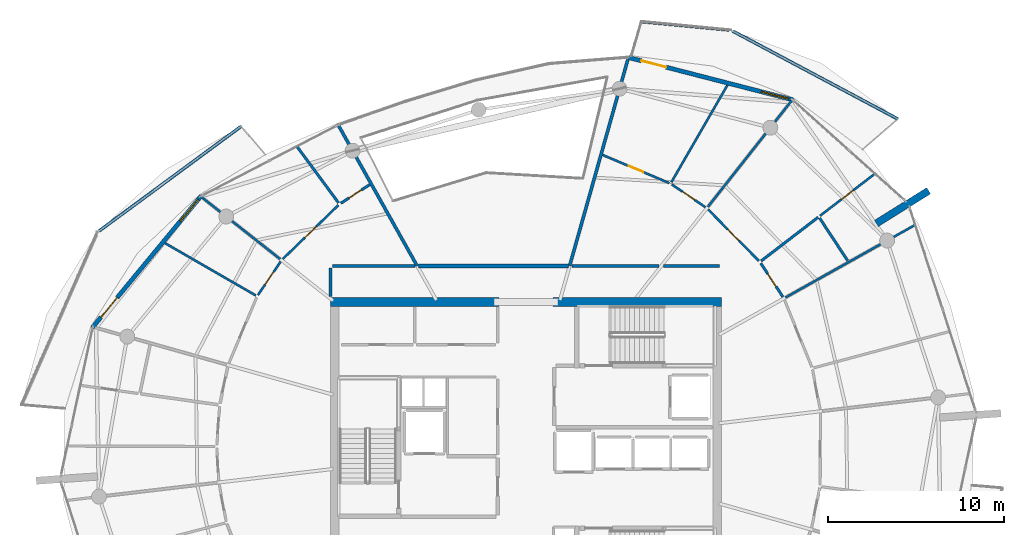
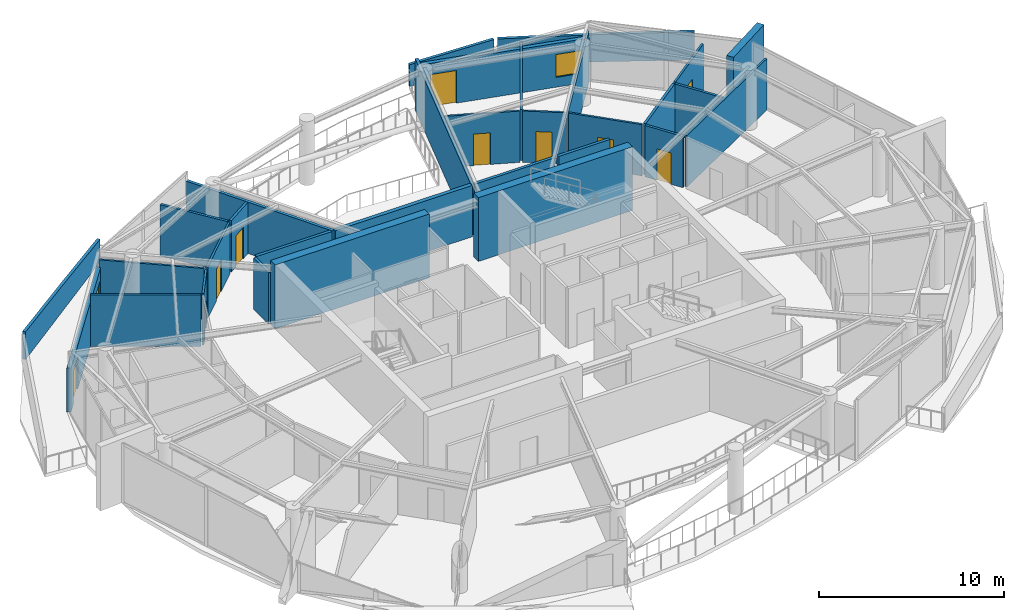
# One storey, part 16 of 22: 31 walls, 10 doors, 2 windows, 12 openings.
"""IFC4 building model written with IfcOpenShell, lengths in metres."""

import ifcopenshell
import ifcopenshell.guid

model = None  # the IFC model being written
_history = None  # IfcOwnerHistory: only IFC2X3 demands one
_inside = {}  # id of a spatial element -> (the spatial element, [elements in it])
_under = {}  # id of a project, library or spatial element -> (it, [spatial elements below it])
_declared = {}  # id of a project -> (the project, [libraries it declares])
_typed = {}  # id of a type object -> (the type object, [elements of that type])
_made_of = {}  # id of a material, layer set ... -> (it, [elements and type objects made of it])


def new_model(schema):
    """Start an empty IFC model of exactly this schema.

    Asked for "IFC4X3", IfcOpenShell would pick the latest addendum, in which some entities
    have other attributes; the version numbers below select the first issue.
    IFC2X3 requires an IfcOwnerHistory on every rooted entity: one is made here for all.
    """
    global model, _history
    if schema == "IFC4X3":
        model = ifcopenshell.file(schema_version=(4, 3, 0, 0))
    else:
        model = ifcopenshell.file(schema=schema)
    _inside.clear()
    _under.clear()
    _declared.clear()
    _typed.clear()
    _made_of.clear()
    _history = None
    if model.schema == "IFC2X3":
        org = make("IfcOrganization", Name="unknown")
        user = make(
            "IfcPersonAndOrganization",
            ThePerson=make("IfcPerson", FamilyName="unknown"),
            TheOrganization=org,
        )
        app = make(
            "IfcApplication",
            ApplicationDeveloper=org,
            Version="unknown",
            ApplicationFullName="unknown",
            ApplicationIdentifier="unknown",
        )
        _history = make(
            "IfcOwnerHistory",
            OwningUser=user,
            OwningApplication=app,
            ChangeAction="ADDED",
            CreationDate=0,
        )
    return model


def make(cls, **values):
    """One entity of the class cls with the attributes given. An attribute that is None is left unset."""
    return model.create_entity(
        cls, **{name: value for name, value in values.items() if value is not None}
    )


def rooted(cls, **values):
    """An entity with a GlobalId (a new one), such as an element, a storey or a relation."""
    return make(cls, GlobalId=ifcopenshell.guid.new(), OwnerHistory=_history, **values)


def si_unit(unit_type, name, prefix=None):
    """IfcSIUnit, for example si_unit("LENGTHUNIT", "METRE", prefix="MILLI")."""
    return make("IfcSIUnit", UnitType=unit_type, Prefix=prefix, Name=name)


def assignment(units):
    """IfcUnitAssignment: the units of a project."""
    return None if units is None else make("IfcUnitAssignment", Units=units)


def point(xyz):
    """IfcCartesianPoint."""
    return None if xyz is None else make("IfcCartesianPoint", Coordinates=xyz)


def direction(xyz):
    """IfcDirection."""
    return None if xyz is None else make("IfcDirection", DirectionRatios=xyz)


def frame(location, z_axis=None, x_axis=None):
    """IfcAxis2Placement3D, a coordinate frame: its origin and axes. An axis left out is left unset."""
    return make(
        "IfcAxis2Placement3D",
        Location=point(location),
        Axis=direction(z_axis),
        RefDirection=direction(x_axis),
    )


def frame_2d(location, x_axis=None):
    """IfcAxis2Placement2D, a coordinate frame in the plane: its origin and x axis."""
    return make(
        "IfcAxis2Placement2D", Location=point(location), RefDirection=direction(x_axis)
    )


def origin():
    """The frame at (0, 0, 0) with its axes left unset."""
    return frame((0.0, 0.0, 0.0))


def place(relative_to, where):
    """IfcLocalPlacement: puts the frame where relative to a parent placement (None: the world)."""
    return make(
        "IfcLocalPlacement", PlacementRelTo=relative_to, RelativePlacement=where
    )


def context(
    kind, dimensions, precision=None, world=None, true_north=None, identifier=None
):
    """IfcGeometricRepresentationContext, for example the 3D "Model" context."""
    return make(
        "IfcGeometricRepresentationContext",
        ContextIdentifier=identifier,
        ContextType=kind,
        CoordinateSpaceDimension=dimensions,
        Precision=precision,
        WorldCoordinateSystem=world,
        TrueNorth=true_north,
    )


def subcontext(parent, identifier, kind, view, scale=None):
    """IfcGeometricRepresentationSubContext, for example "Body" below "Model"."""
    return make(
        "IfcGeometricRepresentationSubContext",
        ContextIdentifier=identifier,
        ContextType=kind,
        ParentContext=parent,
        TargetScale=scale,
        TargetView=view,
    )


def project(units=None, contexts=None):
    """IfcProject with its units and contexts."""
    return rooted(
        "IfcProject",
        Name="project",
        RepresentationContexts=contexts,
        UnitsInContext=assignment(units),
    )


def spatial(cls, under=None, at=None, **own):
    """A site, building, storey or space (cls), placed at a placement, below another one or the project."""
    s = rooted(cls, ObjectPlacement=at, **own)
    if under is not None:
        _under.setdefault(under.id(), (under, []))[1].append(s)
    return s


def polyline(points):
    """IfcPolyline through the points."""
    return make("IfcPolyline", Points=[point(p) for p in points])


def profile(cls, at=None, kind="AREA", **sizes):
    """A parametric profile (cls). Its sizes go by their IFC names, for example OverallWidth=200.0."""
    return make(cls, ProfileType=kind, Position=at, **sizes)


def rectangle(**sizes):
    """IfcRectangleProfileDef."""
    return profile("IfcRectangleProfileDef", **sizes)


def outline(outer, holes=None, kind="AREA"):
    """IfcArbitraryClosedProfileDef: a profile drawn as a closed curve; with holes, ...WithVoids."""
    if holes is None:
        return make("IfcArbitraryClosedProfileDef", ProfileType=kind, OuterCurve=outer)
    return make(
        "IfcArbitraryProfileDefWithVoids",
        ProfileType=kind,
        OuterCurve=outer,
        InnerCurves=holes,
    )


def extrude(swept, where, along, depth):
    """IfcExtrudedAreaSolid: the profile swept, set in the frame where, extruded along a direction by depth."""
    return make(
        "IfcExtrudedAreaSolid",
        SweptArea=swept,
        Position=where,
        ExtrudedDirection=direction(along),
        Depth=depth,
    )


def shape(context_of_items, identifier, shape_type, items):
    """IfcShapeRepresentation: the items that make up one representation, for example the "Body"."""
    return make(
        "IfcShapeRepresentation",
        ContextOfItems=context_of_items,
        RepresentationIdentifier=identifier,
        RepresentationType=shape_type,
        Items=items,
    )


def material(Name=None, Category=None):
    """IfcMaterial."""
    return make("IfcMaterial", Name=Name, Category=Category)


def layer(
    of_material, thickness, ventilated=None, Name=None, Category=None, Priority=None
):
    """IfcMaterialLayer: one layer of a wall or slab, of a material (None: an air gap)."""
    return make(
        "IfcMaterialLayer",
        Material=of_material,
        LayerThickness=thickness,
        IsVentilated=ventilated,
        Name=Name,
        Category=Category,
        Priority=Priority,
    )


def layer_set(layers, Name=None):
    """IfcMaterialLayerSet."""
    return make("IfcMaterialLayerSet", MaterialLayers=layers, LayerSetName=Name)


def made_of(thing, what):
    """Note that an element or type object is made of a material, layer set ...; save() writes the relation."""
    if what is not None:
        _made_of.setdefault(what.id(), (what, []))[1].append(thing)
    return thing


def type_object(cls, material=None, **own):
    """A type object (cls), such as IfcWallType, which elements share."""
    return made_of(rooted(cls, **own), material)


def element(
    cls,
    number,
    at=None,
    inside=None,
    cuts=None,
    type_object=None,
    material=None,
    context=None,
    identifier="Body",
    shape_type=None,
    held_by="IfcProductDefinitionShape",
    body=None,
    shapes=None,
    **own,
):
    """One element of the class cls, such as IfcWall. Its Tag is "e" and its number.

    at: its placement. inside: the storey or other place that contains it. cuts: it is an
    opening in that element (IfcRelVoidsElement). A single representation is given by context,
    identifier, shape_type and body (its items); several are given by shapes. held_by: the class
    of the entity that holds the representations. save() writes the other relations.
    """
    e = rooted(cls, Tag="e%d" % number, ObjectPlacement=at, **own)
    if body is not None:
        shapes = [shape(context, identifier, shape_type, body)]
    if shapes is not None:
        e.Representation = make(held_by, Representations=shapes)
    if inside is not None:
        _inside.setdefault(inside.id(), (inside, []))[1].append(e)
    if cuts is not None:
        rooted(
            "IfcRelVoidsElement", RelatingBuildingElement=cuts, RelatedOpeningElement=e
        )
    if type_object is not None:
        _typed.setdefault(type_object.id(), (type_object, []))[1].append(e)
    return made_of(e, material)


def fill(opening, filler):
    """IfcRelFillsElement: the door or window that sits in an opening."""
    return rooted(
        "IfcRelFillsElement",
        RelatingOpeningElement=opening,
        RelatedBuildingElement=filler,
    )


def aggregate(whole, parts):
    """IfcRelAggregates: a whole, such as a stair, and the parts it consists of."""
    return rooted("IfcRelAggregates", RelatingObject=whole, RelatedObjects=parts)


def save(model, path):
    """Write the relations noted so far, then the file.

    IfcRelAggregates (storeys below a building ...), IfcRelContainedInSpatialStructure (elements
    in a storey), IfcRelDefinesByType, IfcRelAssociatesMaterial and IfcRelDeclares: one each for
    every whole, place, type object, material and project.
    """
    for whole, parts in _under.values():
        aggregate(whole, parts)
    for where, things in _inside.values():
        rooted(
            "IfcRelContainedInSpatialStructure",
            RelatedElements=things,
            RelatingStructure=where,
        )
    for kind, things in _typed.values():
        rooted("IfcRelDefinesByType", RelatedObjects=things, RelatingType=kind)
    for what, things in _made_of.values():
        rooted("IfcRelAssociatesMaterial", RelatedObjects=things, RelatingMaterial=what)
    for by, libraries in _declared.values():
        rooted("IfcRelDeclares", RelatingContext=by, RelatedDefinitions=libraries)
    model.write(path)


model = new_model("IFC4")

# Units and contexts
model_context = context("Model", 3, precision=1e-05, world=origin(), true_north=direction((0.0, 1.0)))
body_context = subcontext(model_context, "Body", "Model", "MODEL_VIEW")
ifc_project = project(units=[si_unit("LENGTHUNIT", "METRE"), si_unit("AREAUNIT", "SQUARE_METRE"), si_unit("VOLUMEUNIT", "CUBIC_METRE"), si_unit("PLANEANGLEUNIT", "RADIAN"), si_unit("MASSUNIT", "GRAM", prefix="KILO")], contexts=[model_context])

# Site, building, storey
site_placement = place(None, origin())
site = spatial("IfcSite", under=ifc_project, at=site_placement, CompositionType="ELEMENT")
building_placement = place(site_placement, origin())
building = spatial("IfcBuilding", under=site, at=building_placement, Name="Kazma Halo Residences", CompositionType="ELEMENT")
storey_placement = place(building_placement, frame((0.0, 0.0, 326.300048828125)))
storey = spatial("IfcBuildingStorey", under=building, at=storey_placement, Name="L82", CompositionType="ELEMENT", Elevation=326.300048828125)

# Walls
ifc_material_1 = material(Name="White Concrete C50/60 Balustrade", Category="concrete")
ifc_layer_1 = layer(ifc_material_1, 0.179931640625)
ifc_layer_set_1 = layer_set([ifc_layer_1], Name="White Concrete C50/60 Balustrade")
wall_type_1 = type_object("IfcWallType", Name="WL-BAL-WAVE-180", PredefinedType="PARAPET", material=ifc_layer_set_1)
wall_1_placement = place(storey_placement, frame((69.5732421875, 60.654541015625, 0.0), z_axis=(0.0, 0.0, 1.0), x_axis=(-0.88255748453, 0.470204515611, 0.0)))
element("IfcWall", 1, at=wall_1_placement, inside=storey, type_object=wall_type_1, Name="L82 white wave balustrade wall NE.1", PredefinedType="PARAPET", context=body_context, shape_type="SweptSolid", body=[
    extrude(outline(polyline([(0.0, 0.0), (10.634765625, 0.0), (10.634765625, 1.6318359375), (5.3173828125, 1.7978515625), (0.0, 1.85986328125), (0.0, 0.0)])), frame((0.0, 0.08984375, 0.0), z_axis=(0.0, -1.0, 0.0), x_axis=(1.0, 0.0, 0.0)), (0.0, 0.0, 1.0), 0.179931640625),
])
wall_2_placement = place(storey_placement, frame((59.962158203125, 65.722900390625, 0.0), z_axis=(0.0, 0.0, 1.0), x_axis=(-0.995513885171, 0.094615561251, 0.0)))
element("IfcWall", 2, at=wall_2_placement, inside=storey, type_object=wall_type_1, Name="L82 white wave balustrade wall NE.2", PredefinedType="PARAPET", context=body_context, shape_type="SweptSolid", body=[
    extrude(outline(polyline([(0.0, 0.0), (5.000732421875, 0.0), (5.000732421875, 1.424072265625), (0.0, 1.6318359375), (0.0, 0.0)])), frame((0.0, 0.08984375, 0.0), z_axis=(0.0, -1.0, 0.0), x_axis=(1.0, 0.0, 0.0)), (0.0, 0.0, 1.0), 0.179931640625),
])
wall_3_placement = place(storey_placement, frame((32.2265625, 60.241455078125, 0.0), z_axis=(0.0, 0.0, 1.0), x_axis=(-0.805132760075, -0.593094628752, 0.0)))
element("IfcWall", 3, at=wall_3_placement, inside=storey, type_object=wall_type_1, Name="L82 white wave balustrade wall NW.1", PredefinedType="PARAPET", context=body_context, shape_type="SweptSolid", body=[
    extrude(outline(polyline([(0.0, 0.0), (10.050537109375, 0.0), (10.05078125, 1.83203125), (5.025390625, 1.696044921875), (0.0, 1.4970703125), (0.0, 0.0)])), frame((0.0, 0.08984375, 0.0), z_axis=(0.0, -1.0, 0.0), x_axis=(1.0, 0.0, 0.0)), (0.0, 0.0, 1.0), 0.179931640625),
])
ifc_material_2 = material(Name="Pale Concrete C60/75", Category="concrete")
ifc_layer_2 = layer(ifc_material_2, 0.419921875)
ifc_layer_set_2 = layer_set([ifc_layer_2], Name="Pale Concrete C60/75")
wall_type_2 = type_object("IfcWallType", Name="WL-BLADE-420", PredefinedType="SOLIDWALL", material=ifc_layer_set_2)
wall_4_placement = place(storey_placement, frame((68.3525390625, 54.7177734375, 0.0), z_axis=(0.0, 0.0, 1.0), x_axis=(0.848053161125, 0.529911158502, 0.0)))
element("IfcWall", 4, at=wall_4_placement, inside=storey, type_object=wall_type_2, Name="L82 pale concrete structural blade fin wall BW-01", PredefinedType="SOLIDWALL", context=body_context, shape_type="SweptSolid", body=[
    extrude(rectangle(XDim=3.5, YDim=0.419921875, at=frame_2d((1.75, 0.0))), origin(), (0.0, 0.0, 1.0), 4.199951171875),
])
ifc_material_3 = material(Name="Concrete C60/75", Category="concrete")
ifc_layer_3 = layer(ifc_material_3, 0.5)
ifc_layer_set_3 = layer_set([ifc_layer_3], Name="Concrete C60/75")
wall_type_3 = type_object("IfcWallType", Name="WL-CORE-500", PredefinedType="SHEAR", material=ifc_layer_set_3)
wall_5_placement = place(storey_placement, frame((37.300048828125, 50.25, 0.0), z_axis=(0.0, 0.0, 1.0), x_axis=(1.0, 0.0, 0.0)))
element("IfcWall", 5, at=wall_5_placement, inside=storey, type_object=wall_type_3, Name="L82 central core shear wall NW", PredefinedType="SHEAR", context=body_context, shape_type="SweptSolid", body=[
    extrude(rectangle(XDim=9.599853515625, YDim=0.5, at=frame_2d((4.7998046875, 0.0))), origin(), (0.0, 0.0, 1.0), 4.199951171875),
])
wall_6_placement = place(storey_placement, frame((49.949951171875, 50.25, 0.0), z_axis=(0.0, 0.0, 1.0), x_axis=(1.0, 0.0, 0.0)))
element("IfcWall", 6, at=wall_6_placement, inside=storey, type_object=wall_type_3, Name="L82 central core shear wall NE", PredefinedType="SHEAR", context=body_context, shape_type="SweptSolid", body=[
    extrude(rectangle(XDim=9.60009765625, YDim=0.5, at=frame_2d((4.800048828125, 0.0))), origin(), (0.0, 0.0, 1.0), 4.199951171875),
])
ifc_material_4 = material(Name="Acoustic Twin-Stud Gypsum")
ifc_layer_4 = layer(ifc_material_4, 0.179931640625)
ifc_layer_set_4 = layer_set([ifc_layer_4], Name="Acoustic Twin-Stud Gypsum")
wall_type_4 = type_object("IfcWallType", Name="WL-DEM-180", PredefinedType="PARTITIONING", material=ifc_layer_set_4)
wall_7_placement = place(storey_placement, frame((50.90478515625, 52.300048828125, 0.0), z_axis=(0.0, 0.0, 1.0), x_axis=(0.271453030279, 0.962451688321, 0.0)))
element("IfcWall", 7, at=wall_7_placement, inside=storey, type_object=wall_type_4, Name="L82 apartment demising radial wall 02", PredefinedType="PARTITIONING", context=body_context, shape_type="SweptSolid", body=[
    extrude(rectangle(XDim=12.191162109375, YDim=0.179931640625, at=frame_2d((6.095703125, 0.0))), origin(), (0.0, 0.0, 1.0), 3.3798828125),
])
wall_8_placement = place(storey_placement, frame((42.231689453125, 52.300048828125, 0.0), z_axis=(0.0, 0.0, 1.0), x_axis=(-0.488623665245, 0.872494649704, 0.0)))
element("IfcWall", 8, at=wall_8_placement, inside=storey, type_object=wall_type_4, Name="L82 apartment demising radial wall 04", PredefinedType="PARTITIONING", context=body_context, shape_type="SweptSolid", body=[
    extrude(rectangle(XDim=9.156982421875, YDim=0.179931640625, at=frame_2d((4.57861328125, 0.0))), origin(), (0.0, 0.0, 1.0), 3.3798828125),
])
wall_9_placement = place(storey_placement, frame((42.11181640625, 52.300048828125, 0.0), z_axis=(0.0, 0.0, 1.0), x_axis=(-1.0, 0.0, 0.0)))
element("IfcWall", 9, at=wall_9_placement, inside=storey, type_object=wall_type_4, Name="L82 Penthouse 1 inner wall 4", PredefinedType="PARTITIONING", context=body_context, shape_type="SweptSolid", body=[
    extrude(rectangle(XDim=4.69189453125, YDim=0.179931640625, at=frame_2d((2.345947265625, 0.0))), origin(), (0.0, 0.0, 1.0), 3.3798828125),
])
wall_10_placement = place(storey_placement, frame((37.300048828125, 52.179931640625, 0.0), z_axis=(0.0, 0.0, 1.0), x_axis=(0.0, -1.0, 0.0)))
element("IfcWall", 10, at=wall_10_placement, inside=storey, type_object=wall_type_4, Name="L82 Penthouse 1 inner wall 4", PredefinedType="PARTITIONING", context=body_context, shape_type="SweptSolid", body=[
    extrude(rectangle(XDim=1.624755859375, YDim=0.179931640625, at=frame_2d((0.8125, 0.0))), origin(), (0.0, 0.0, 1.0), 3.3798828125),
])
wall_11_placement = place(storey_placement, frame((59.429931640625, 52.300048828125, 0.0), z_axis=(0.0, 0.0, 1.0), x_axis=(-1.0, 0.0, 0.0)))
element("IfcWall", 11, at=wall_11_placement, inside=storey, type_object=wall_type_4, Name="L82 Penthouse 2 inner wall 0", PredefinedType="PARTITIONING", context=body_context, shape_type="SweptSolid", body=[
    extrude(rectangle(XDim=3.18994140625, YDim=0.179931640625, at=frame_2d((1.594970703125, 0.0))), origin(), (0.0, 0.0, 1.0), 3.3798828125),
])
wall_12_placement = place(storey_placement, frame((56.0, 52.300048828125, 0.0), z_axis=(0.0, 0.0, 1.0), x_axis=(-1.0, 0.0, 0.0)))
element("IfcWall", 12, at=wall_12_placement, inside=storey, type_object=wall_type_4, Name="L82 Penthouse 2 inner wall 1", PredefinedType="PARTITIONING", context=body_context, shape_type="SweptSolid", body=[
    extrude(rectangle(XDim=4.97509765625, YDim=0.179931640625, at=frame_2d((2.487548828125, 0.0))), origin(), (0.0, 0.0, 1.0), 3.3798828125),
])

# Wall, openings, door, window
ifc_material_5 = material(Name="Insulated Pale-Metal Composite Wall")
ifc_layer_5 = layer(ifc_material_5, 0.239990234375)
ifc_layer_set_5 = layer_set([ifc_layer_5], Name="Insulated Pale-Metal Composite Wall")
wall_type_5 = type_object("IfcWallType", Name="WL-EXT-HOST-240", PredefinedType="SOLIDWALL", material=ifc_layer_set_5)
wall_13_placement = place(storey_placement, frame((63.619873046875, 61.73974609375, 0.0), z_axis=(0.0, 0.0, 1.0), x_axis=(-0.968389062354, 0.249444630957, 0.0)))
wall_13 = element("IfcWall", 13, at=wall_13_placement, inside=storey, type_object=wall_type_5, Name="L82 exterior terrace-access wall B02", PredefinedType="SOLIDWALL", context=body_context, shape_type="SweptSolid", body=[
    extrude(rectangle(XDim=9.677734375, YDim=0.239990234375, at=frame_2d((4.8388671875, 0.0))), origin(), (0.0, 0.0, 1.0), 2.889892578125),
])
opening_1_placement = place(wall_13_placement, frame((7.457763671875, 0.0, 0.0)))
opening_1 = element("IfcOpeningElement", 14, at=opening_1_placement, cuts=wall_13, Name="Opening DTR-1600", PredefinedType="OPENING", context=body_context, shape_type="SweptSolid", body=[
    extrude(rectangle(XDim=1.449951171875, YDim=2.14990234375, at=frame_2d((0.72509765625, 1.074951171875))), frame((0.0, 0.1298828125, 0.0), z_axis=(0.0, -1.0, 0.0), x_axis=(1.0, 0.0, 0.0)), (0.0, 0.0, 1.0), 0.260009765625),
])
opening_2_placement = place(wall_13_placement, frame((0.280029296875, 0.0, 0.64990234375)))
opening_2 = element("IfcOpeningElement", 15, at=opening_2_placement, cuts=wall_13, Name="Opening W-1800", PredefinedType="OPENING", context=body_context, shape_type="SweptSolid", body=[
    extrude(rectangle(XDim=1.60009765625, YDim=1.5, at=frame_2d((0.800048828125, 0.75))), frame((0.0, 0.1298828125, 0.0), z_axis=(0.0, -1.0, 0.0), x_axis=(1.0, 0.0, 0.0)), (0.0, 0.0, 1.0), 0.260009765625),
])
ifc_material_6 = material(Name="Aluminium AW-6063 T6 Double-Glazed Terrace Door", Category="aluminium")
door_type_1 = type_object("IfcDoorType", Name="DR-EXT-TERR-1600", OperationType="NOTDEFINED", PredefinedType="DOOR", material=ifc_material_6)
door_1_placement = place(opening_1_placement, origin())
door_1 = element("IfcDoor", 16, at=door_1_placement, inside=storey, type_object=door_type_1, Name="L82 B02 balcony terrace door", OperationType="DOUBLE_DOOR_SLIDING", OverallHeight=2.14990234375, OverallWidth=1.449951171875, PredefinedType="DOOR", context=body_context, shape_type="SweptSolid", body=[
    extrude(rectangle(XDim=1.449951171875, YDim=2.14990234375, at=frame_2d((0.72509765625, 1.074951171875))), frame((0.0, 0.02490234375, 0.0), z_axis=(0.0, -1.0, 0.0), x_axis=(1.0, 0.0, 0.0)), (0.0, 0.0, 1.0), 0.050048828125),
])
fill(opening_1, door_1)
ifc_material_7 = material(Name="Clear Triple-Silver Low-E Glass in Aluminium AW-6063 T6 Frame", Category="aluminium")
window_type = type_object("IfcWindowType", Name="WIN-RES-1800", PartitioningType="DOUBLE_PANEL_VERTICAL", PredefinedType="WINDOW", material=ifc_material_7)
window_1_placement = place(opening_2_placement, origin())
window_1 = element("IfcWindow", 17, at=window_1_placement, inside=storey, type_object=window_type, Name="L82 B02 apartment window", OverallHeight=1.5, OverallWidth=1.60009765625, PartitioningType="SINGLE_PANEL", PredefinedType="WINDOW", context=body_context, shape_type="SweptSolid", body=[
    extrude(rectangle(XDim=1.60009765625, YDim=1.5, at=frame_2d((0.800048828125, 0.75))), frame((0.0, 0.030029296875, 0.0), z_axis=(0.0, -1.0, 0.0), x_axis=(1.0, 0.0, 0.0)), (0.0, 0.0, 1.0), 0.06005859375),
])
fill(opening_2, window_1)

wall_14_placement = place(storey_placement, frame((29.955322265625, 56.288818359375, 0.0), z_axis=(0.0, 0.0, 1.0), x_axis=(-0.636803612721, -0.771026042897, 0.0)))
wall_14 = element("IfcWall", 18, at=wall_14_placement, inside=storey, type_object=wall_type_5, Name="L82 exterior terrace-access wall B06", PredefinedType="SOLIDWALL", context=body_context, shape_type="SweptSolid", body=[
    extrude(rectangle(XDim=9.7275390625, YDim=0.239990234375, at=frame_2d((4.86376953125, 0.0))), origin(), (0.0, 0.0, 1.0), 2.889892578125),
])
opening_3_placement = place(wall_14_placement, frame((7.5078125, 0.0, 0.0)))
opening_3 = element("IfcOpeningElement", 19, at=opening_3_placement, cuts=wall_14, Name="Opening DTR-1600", PredefinedType="OPENING", context=body_context, shape_type="SweptSolid", body=[
    extrude(rectangle(XDim=1.449951171875, YDim=2.14990234375, at=frame_2d((0.72509765625, 1.074951171875))), frame((0.0, 0.1298828125, 0.0), z_axis=(0.0, -1.0, 0.0), x_axis=(1.0, 0.0, 0.0)), (0.0, 0.0, 1.0), 0.260009765625),
])
opening_4_placement = place(wall_14_placement, frame((0.280029296875, 0.0, 0.64990234375)))
opening_4 = element("IfcOpeningElement", 20, at=opening_4_placement, cuts=wall_14, Name="Opening W-1800", PredefinedType="OPENING", context=body_context, shape_type="SweptSolid", body=[
    extrude(rectangle(XDim=1.60009765625, YDim=1.5, at=frame_2d((0.800048828125, 0.75))), frame((0.0, 0.1298828125, 0.0), z_axis=(0.0, -1.0, 0.0), x_axis=(1.0, 0.0, 0.0)), (0.0, 0.0, 1.0), 0.260009765625),
])
door_2_placement = place(opening_3_placement, origin())
door_2 = element("IfcDoor", 21, at=door_2_placement, inside=storey, type_object=door_type_1, Name="L82 B06 balcony terrace door", OperationType="DOUBLE_DOOR_SLIDING", OverallHeight=2.14990234375, OverallWidth=1.449951171875, PredefinedType="DOOR", context=body_context, shape_type="SweptSolid", body=[
    extrude(rectangle(XDim=1.449951171875, YDim=2.14990234375, at=frame_2d((0.72509765625, 1.074951171875))), frame((0.0, 0.02490234375, 0.0), z_axis=(0.0, -1.0, 0.0), x_axis=(1.0, 0.0, 0.0)), (0.0, 0.0, 1.0), 0.050048828125),
])
fill(opening_3, door_2)
window_2_placement = place(opening_4_placement, origin())
window_2 = element("IfcWindow", 22, at=window_2_placement, inside=storey, type_object=window_type, Name="L82 B06 apartment window", OverallHeight=1.5, OverallWidth=1.60009765625, PartitioningType="SINGLE_PANEL", PredefinedType="WINDOW", context=body_context, shape_type="SweptSolid", body=[
    extrude(rectangle(XDim=1.60009765625, YDim=1.5, at=frame_2d((0.800048828125, 0.75))), frame((0.0, 0.030029296875, 0.0), z_axis=(0.0, -1.0, 0.0), x_axis=(1.0, 0.0, 0.0)), (0.0, 0.0, 1.0), 0.06005859375),
])
fill(opening_4, window_2)

# Wall
wall_15_placement = place(storey_placement, frame((50.8349609375, 52.300048828125, 0.0), z_axis=(0.0, 0.0, 1.0), x_axis=(-1.0, 0.0, 0.0)))
element("IfcWall", 23, at=wall_15_placement, inside=storey, type_object=wall_type_5, Name="L82 wind-portal core closure wall", PredefinedType="SOLIDWALL", context=body_context, shape_type="SweptSolid", body=[
    extrude(rectangle(XDim=8.533203125, YDim=0.239990234375, at=frame_2d((4.2666015625, 0.0))), origin(), (0.0, 0.0, 1.0), 3.3798828125),
])

# Wall, opening, door
ifc_material_8 = material(Name="Gypsum Plasterboard Partition")
ifc_layer_6 = layer(ifc_material_8, 0.125)
ifc_layer_set_6 = layer_set([ifc_layer_6], Name="Gypsum Plasterboard Partition")
wall_type_6 = type_object("IfcWallType", Name="WL-PART-125", PredefinedType="PARTITIONING", material=ifc_layer_set_6)
wall_16_placement = place(storey_placement, frame((37.749267578125, 55.7509765625, 0.0), z_axis=(0.0, 0.0, 1.0), x_axis=(-0.718380815069, -0.695650058967, 0.0)))
wall_16 = element("IfcWall", 24, at=wall_16_placement, inside=storey, type_object=wall_type_6, Name="L82 Penthouse 1 Gourmet Kitchen hall wall", PredefinedType="PARTITIONING", context=body_context, shape_type="SweptSolid", body=[
    extrude(rectangle(XDim=4.392822265625, YDim=0.125, at=frame_2d((2.1962890625, 0.0))), origin(), (0.0, 0.0, 1.0), 3.3798828125),
])
opening_5_placement = place(wall_16_placement, frame((1.746337890625, 0.0, 0.0)))
opening_5 = element("IfcOpeningElement", 25, at=opening_5_placement, cuts=wall_16, Name="Opening DI-950", PredefinedType="OPENING", context=body_context, shape_type="SweptSolid", body=[
    extrude(rectangle(XDim=0.89990234375, YDim=2.080078125, at=frame_2d((0.449951171875, 1.0400390625))), frame((0.0, 0.072509765625, 0.0), z_axis=(0.0, -1.0, 0.0), x_axis=(1.0, 0.0, 0.0)), (0.0, 0.0, 1.0), 0.14501953125),
])
ifc_material_9 = material(Name="Timber Veneer Flush Leaf", Category="wood")
door_type_2 = type_object("IfcDoorType", Name="DR-INT-950", OperationType="NOTDEFINED", PredefinedType="DOOR", material=ifc_material_9)
door_3_placement = place(opening_5_placement, origin())
door_3 = element("IfcDoor", 26, at=door_3_placement, inside=storey, type_object=door_type_2, Name="L82 Penthouse 1 Gourmet Kitchen door", OperationType="SINGLE_SWING_LEFT", OverallHeight=2.080078125, OverallWidth=0.89990234375, PredefinedType="DOOR", context=body_context, shape_type="SweptSolid", body=[
    extrude(rectangle(XDim=0.89990234375, YDim=2.080078125, at=frame_2d((0.449951171875, 1.0400390625))), frame((0.0, 0.02490234375, 0.0), z_axis=(0.0, -1.0, 0.0), x_axis=(1.0, 0.0, 0.0)), (0.0, 0.0, 1.0), 0.050048828125),
])
fill(opening_5, door_3)

# Walls
wall_17_placement = place(storey_placement, frame((34.443115234375, 52.6875, 0.0), z_axis=(0.0, 0.0, 1.0), x_axis=(-0.785329715116, 0.61907773224, 0.0)))
element("IfcWall", 27, at=wall_17_placement, inside=storey, type_object=wall_type_6, Name="L82 Penthouse 1 radial partition 5", PredefinedType="PARTITIONING", context=body_context, shape_type="SweptSolid", body=[
    extrude(rectangle(XDim=5.72998046875, YDim=0.125, at=frame_2d((2.864990234375, 0.0))), origin(), (0.0, 0.0, 1.0), 3.3798828125),
])
wall_18_placement = place(storey_placement, frame((33.053955078125, 50.61865234375, 0.0), z_axis=(0.0, 0.0, 1.0), x_axis=(-0.86627763932, 0.499562860524, 0.0)))
element("IfcWall", 28, at=wall_18_placement, inside=storey, type_object=wall_type_6, Name="L82 Penthouse 1 mid-bay wall 5", PredefinedType="PARTITIONING", context=body_context, shape_type="SweptSolid", body=[
    extrude(rectangle(XDim=5.959716796875, YDim=0.125, at=frame_2d((2.97998046875, 0.0))), origin(), (0.0, 0.0, 1.0), 3.3798828125),
])

# Wall, opening, door
wall_19_placement = place(storey_placement, frame((34.465576171875, 52.542724609375, 0.0), z_axis=(0.0, 0.0, 1.0), x_axis=(-0.560789421623, -0.827958467917, 0.0)))
wall_19 = element("IfcWall", 29, at=wall_19_placement, inside=storey, type_object=wall_type_6, Name="L82 Penthouse 1 Primary Wine Pantry Store hall wall", PredefinedType="PARTITIONING", context=body_context, shape_type="SweptSolid", body=[
    extrude(rectangle(XDim=2.29833984375, YDim=0.125, at=frame_2d((1.149169921875, 0.0))), origin(), (0.0, 0.0, 1.0), 3.3798828125),
])
opening_6_placement = place(wall_19_placement, frame((0.72412109375, 0.0, 0.0)))
opening_6 = element("IfcOpeningElement", 30, at=opening_6_placement, cuts=wall_19, Name="Opening DB-900", PredefinedType="OPENING", context=body_context, shape_type="SweptSolid", body=[
    extrude(rectangle(XDim=0.85009765625, YDim=2.06005859375, at=frame_2d((0.425048828125, 1.030029296875))), frame((0.0, 0.072509765625, 0.0), z_axis=(0.0, -1.0, 0.0), x_axis=(1.0, 0.0, 0.0)), (0.0, 0.0, 1.0), 0.14501953125),
])
ifc_material_10 = material(Name="Moisture-Sealed Timber Leaf", Category="wood")
door_type_3 = type_object("IfcDoorType", Name="DR-BTH-900", OperationType="NOTDEFINED", PredefinedType="DOOR", material=ifc_material_10)
door_4_placement = place(opening_6_placement, origin())
door_4 = element("IfcDoor", 31, at=door_4_placement, inside=storey, type_object=door_type_3, Name="L82 Penthouse 1 Primary Wine Pantry Store door", OperationType="SINGLE_SWING_RIGHT", OverallHeight=2.06005859375, OverallWidth=0.85009765625, PredefinedType="DOOR", context=body_context, shape_type="SweptSolid", body=[
    extrude(rectangle(XDim=0.85009765625, YDim=2.06005859375, at=frame_2d((0.425048828125, 1.030029296875))), frame((0.0, 0.02490234375, 0.0), z_axis=(0.0, -1.0, 0.0), x_axis=(1.0, 0.0, 0.0)), (0.0, 0.0, 1.0), 0.050048828125),
])
fill(opening_6, door_4)

# Wall
wall_20_placement = place(storey_placement, frame((63.177978515625, 50.5, 0.0), z_axis=(0.0, 0.0, 1.0), x_axis=(0.872495656661, 0.488621867201, 0.0)))
element("IfcWall", 32, at=wall_20_placement, inside=storey, type_object=wall_type_6, Name="L82 Penthouse 2 radial partition 0", PredefinedType="PARTITIONING", context=body_context, shape_type="SweptSolid", body=[
    extrude(rectangle(XDim=8.439697265625, YDim=0.125, at=frame_2d((4.2197265625, 0.0))), origin(), (0.0, 0.0, 1.0), 3.3798828125),
])

# Wall, opening, door
wall_21_placement = place(storey_placement, frame((65.14453125, 55.1484375, 0.0), z_axis=(0.0, 0.0, 1.0), x_axis=(0.793528924523, 0.608532534829, 0.0)))
wall_21 = element("IfcWall", 33, at=wall_21_placement, inside=storey, type_object=wall_type_6, Name="L82 Penthouse 2 South Walk-In Wardrobe partition wall", PredefinedType="PARTITIONING", context=body_context, shape_type="SweptSolid", body=[
    extrude(rectangle(XDim=3.90771484375, YDim=0.125, at=frame_2d((1.953857421875, 0.0))), origin(), (0.0, 0.0, 1.0), 3.3798828125),
])
opening_7_placement = place(wall_21_placement, frame((1.52880859375, 0.0, 0.0)))
opening_7 = element("IfcOpeningElement", 34, at=opening_7_placement, cuts=wall_21, Name="Opening DB-900", PredefinedType="OPENING", context=body_context, shape_type="SweptSolid", body=[
    extrude(rectangle(XDim=0.85009765625, YDim=2.06005859375, at=frame_2d((0.425048828125, 1.030029296875))), frame((0.0, 0.072509765625, 0.0), z_axis=(0.0, -1.0, 0.0), x_axis=(1.0, 0.0, 0.0)), (0.0, 0.0, 1.0), 0.14501953125),
])
door_5_placement = place(opening_7_placement, origin())
door_5 = element("IfcDoor", 35, at=door_5_placement, inside=storey, type_object=door_type_3, Name="L82 Penthouse 2 South Walk-In Wardrobe door", OperationType="SINGLE_SWING_RIGHT", OverallHeight=2.06005859375, OverallWidth=0.85009765625, PredefinedType="DOOR", context=body_context, shape_type="SweptSolid", body=[
    extrude(rectangle(XDim=0.85009765625, YDim=2.06005859375, at=frame_2d((0.425048828125, 1.030029296875))), frame((0.0, 0.02490234375, 0.0), z_axis=(0.0, -1.0, 0.0), x_axis=(1.0, 0.0, 0.0)), (0.0, 0.0, 1.0), 0.050048828125),
])
fill(opening_7, door_5)

wall_22_placement = place(storey_placement, frame((61.661376953125, 52.589599609375, 0.0), z_axis=(0.0, 0.0, 1.0), x_axis=(-0.702362959416, 0.711818989098, 0.0)))
wall_22 = element("IfcWall", 36, at=wall_22_placement, inside=storey, type_object=wall_type_6, Name="L82 Penthouse 2 Inner Master Bedroom hall wall", PredefinedType="PARTITIONING", context=body_context, shape_type="SweptSolid", body=[
    extrude(rectangle(XDim=4.105224609375, YDim=0.125, at=frame_2d((2.052734375, 0.0))), origin(), (0.0, 0.0, 1.0), 3.3798828125),
])
opening_8_placement = place(wall_22_placement, frame((1.6025390625, 0.0, 0.0)))
opening_8 = element("IfcOpeningElement", 37, at=opening_8_placement, cuts=wall_22, Name="Opening DI-950", PredefinedType="OPENING", context=body_context, shape_type="SweptSolid", body=[
    extrude(rectangle(XDim=0.89990234375, YDim=2.080078125, at=frame_2d((0.449951171875, 1.0400390625))), frame((0.0, 0.072509765625, 0.0), z_axis=(0.0, -1.0, 0.0), x_axis=(1.0, 0.0, 0.0)), (0.0, 0.0, 1.0), 0.14501953125),
])
door_6_placement = place(opening_8_placement, origin())
door_6 = element("IfcDoor", 38, at=door_6_placement, inside=storey, type_object=door_type_2, Name="L82 Penthouse 2 Inner Master Bedroom door", OperationType="SINGLE_SWING_LEFT", OverallHeight=2.080078125, OverallWidth=0.89990234375, PredefinedType="DOOR", context=body_context, shape_type="SweptSolid", body=[
    extrude(rectangle(XDim=0.89990234375, YDim=2.080078125, at=frame_2d((0.449951171875, 1.0400390625))), frame((0.0, 0.02490234375, 0.0), z_axis=(0.0, -1.0, 0.0), x_axis=(1.0, 0.0, 0.0)), (0.0, 0.0, 1.0), 0.050048828125),
])
fill(opening_8, door_6)

# Walls
wall_23_placement = place(storey_placement, frame((58.769775390625, 55.661376953125, 0.0), z_axis=(0.0, 0.0, 1.0), x_axis=(0.619087123863, 0.785322311581, 0.0)))
element("IfcWall", 39, at=wall_23_placement, inside=storey, type_object=wall_type_6, Name="L82 Penthouse 2 radial partition 1", PredefinedType="PARTITIONING", context=body_context, shape_type="SweptSolid", body=[
    extrude(rectangle(XDim=7.73095703125, YDim=0.125, at=frame_2d((3.865478515625, 0.0))), origin(), (0.0, 0.0, 1.0), 3.3798828125),
])
wall_24_placement = place(storey_placement, frame((56.69091796875, 57.057861328125, 0.0), z_axis=(0.0, 0.0, 1.0), x_axis=(0.499874948847, 0.866097590065, 0.0)))
element("IfcWall", 40, at=wall_24_placement, inside=storey, type_object=wall_type_6, Name="L82 Penthouse 2 mid-bay wall 1", PredefinedType="PARTITIONING", context=body_context, shape_type="SweptSolid", body=[
    extrude(rectangle(XDim=6.375244140625, YDim=0.125, at=frame_2d((3.1875, 0.0))), origin(), (0.0, 0.0, 1.0), 3.3798828125),
])

# Wall, opening, door
wall_25_placement = place(storey_placement, frame((58.625, 55.638916015625, 0.0), z_axis=(0.0, 0.0, 1.0), x_axis=(-0.827849047739, 0.560950937389, 0.0)))
wall_25 = element("IfcWall", 41, at=wall_25_placement, inside=storey, type_object=wall_type_6, Name="L82 Penthouse 2 Outer Dressing Wardrobe hall wall", PredefinedType="PARTITIONING", context=body_context, shape_type="SweptSolid", body=[
    extrude(rectangle(XDim=2.310546875, YDim=0.125, at=frame_2d((1.1552734375, 0.0))), origin(), (0.0, 0.0, 1.0), 3.3798828125),
])
opening_9_placement = place(wall_25_placement, frame((0.730224609375, 0.0, 0.0)))
opening_9 = element("IfcOpeningElement", 42, at=opening_9_placement, cuts=wall_25, Name="Opening DB-900", PredefinedType="OPENING", context=body_context, shape_type="SweptSolid", body=[
    extrude(rectangle(XDim=0.85009765625, YDim=2.06005859375, at=frame_2d((0.425048828125, 1.030029296875))), frame((0.0, 0.072509765625, 0.0), z_axis=(0.0, -1.0, 0.0), x_axis=(1.0, 0.0, 0.0)), (0.0, 0.0, 1.0), 0.14501953125),
])
door_7_placement = place(opening_9_placement, origin())
door_7 = element("IfcDoor", 43, at=door_7_placement, inside=storey, type_object=door_type_3, Name="L82 Penthouse 2 Outer Dressing Wardrobe door", OperationType="SINGLE_SWING_RIGHT", OverallHeight=2.06005859375, OverallWidth=0.85009765625, PredefinedType="DOOR", context=body_context, shape_type="SweptSolid", body=[
    extrude(rectangle(XDim=0.85009765625, YDim=2.06005859375, at=frame_2d((0.425048828125, 1.030029296875))), frame((0.0, 0.02490234375, 0.0), z_axis=(0.0, -1.0, 0.0), x_axis=(1.0, 0.0, 0.0)), (0.0, 0.0, 1.0), 0.050048828125),
])
fill(opening_9, door_7)

wall_26_placement = place(storey_placement, frame((56.572265625, 57.010986328125, 0.0), z_axis=(0.0, 0.0, 1.0), x_axis=(-0.921389099209, 0.388641387219, 0.0)))
wall_26 = element("IfcWall", 44, at=wall_26_placement, inside=storey, type_object=wall_type_6, Name="L82 Penthouse 2 Corner Master Bedroom hall wall", PredefinedType="PARTITIONING", context=body_context, shape_type="SweptSolid", body=[
    extrude(rectangle(XDim=4.1083984375, YDim=0.125, at=frame_2d((2.05419921875, 0.0))), origin(), (0.0, 0.0, 1.0), 3.3798828125),
])
opening_10_placement = place(wall_26_placement, frame((1.604248046875, 0.0, 0.0)))
opening_10 = element("IfcOpeningElement", 45, at=opening_10_placement, cuts=wall_26, Name="Opening DI-950", PredefinedType="OPENING", context=body_context, shape_type="SweptSolid", body=[
    extrude(rectangle(XDim=0.89990234375, YDim=2.080078125, at=frame_2d((0.449951171875, 1.0400390625))), frame((0.0, 0.072509765625, 0.0), z_axis=(0.0, -1.0, 0.0), x_axis=(1.0, 0.0, 0.0)), (0.0, 0.0, 1.0), 0.14501953125),
])
door_8_placement = place(opening_10_placement, origin())
door_8 = element("IfcDoor", 46, at=door_8_placement, inside=storey, type_object=door_type_2, Name="L82 Penthouse 2 Corner Master Bedroom door", OperationType="SINGLE_SWING_LEFT", OverallHeight=2.080078125, OverallWidth=0.89990234375, PredefinedType="DOOR", context=body_context, shape_type="SweptSolid", body=[
    extrude(rectangle(XDim=0.89990234375, YDim=2.080078125, at=frame_2d((0.449951171875, 1.0400390625))), frame((0.0, 0.02490234375, 0.0), z_axis=(0.0, -1.0, 0.0), x_axis=(1.0, 0.0, 0.0)), (0.0, 0.0, 1.0), 0.050048828125),
])
fill(opening_10, door_8)

ifc_material_11 = material(Name="Moisture-Resistant Gypsum")
ifc_layer_7 = layer(ifc_material_11, 0.14990234375)
ifc_layer_set_7 = layer_set([ifc_layer_7], Name="Moisture-Resistant Gypsum")
wall_type_7 = type_object("IfcWallType", Name="WL-WET-150", PredefinedType="PARTITIONING", material=ifc_layer_set_7)
wall_27_placement = place(storey_placement, frame((39.52978515625, 56.92041015625, 0.0), z_axis=(0.0, 0.0, 1.0), x_axis=(-0.840344430655, -0.542052799889, 0.0)))
wall_27 = element("IfcWall", 47, at=wall_27_placement, inside=storey, type_object=wall_type_7, Name="L82 Penthouse 1 Guest Bathroom hall wall", PredefinedType="PARTITIONING", context=body_context, shape_type="SweptSolid", body=[
    extrude(rectangle(XDim=1.9521484375, YDim=0.14990234375, at=frame_2d((0.97607421875, 0.0))), origin(), (0.0, 0.0, 1.0), 3.3798828125),
])
opening_11_placement = place(wall_27_placement, frame((0.551025390625, 0.0, 0.0)))
opening_11 = element("IfcOpeningElement", 48, at=opening_11_placement, cuts=wall_27, Name="Opening DB-900", PredefinedType="OPENING", context=body_context, shape_type="SweptSolid", body=[
    extrude(rectangle(XDim=0.85009765625, YDim=2.06005859375, at=frame_2d((0.425048828125, 1.030029296875))), frame((0.0, 0.0849609375, 0.0), z_axis=(0.0, -1.0, 0.0), x_axis=(1.0, 0.0, 0.0)), (0.0, 0.0, 1.0), 0.169921875),
])
door_9_placement = place(opening_11_placement, origin())
door_9 = element("IfcDoor", 49, at=door_9_placement, inside=storey, type_object=door_type_3, Name="L82 Penthouse 1 Guest Bathroom door", OperationType="SINGLE_SWING_LEFT", OverallHeight=2.06005859375, OverallWidth=0.85009765625, PredefinedType="DOOR", context=body_context, shape_type="SweptSolid", body=[
    extrude(rectangle(XDim=0.85009765625, YDim=2.06005859375, at=frame_2d((0.425048828125, 1.030029296875))), frame((0.0, 0.02490234375, 0.0), z_axis=(0.0, -1.0, 0.0), x_axis=(1.0, 0.0, 0.0)), (0.0, 0.0, 1.0), 0.050048828125),
])
fill(opening_11, door_9)

# Wall
wall_28_placement = place(storey_placement, frame((37.760498046875, 55.885986328125, 0.0), z_axis=(0.0, 0.0, 1.0), x_axis=(-0.593476725003, 0.804851152002, 0.0)))
element("IfcWall", 50, at=wall_28_placement, inside=storey, type_object=wall_type_7, Name="L82 Penthouse 1 Guest Bathroom side wall", PredefinedType="PARTITIONING", context=body_context, shape_type="SweptSolid", body=[
    extrude(rectangle(XDim=3.958251953125, YDim=0.14990234375, at=frame_2d((1.97900390625, 0.0))), origin(), (0.0, 0.0, 1.0), 3.3798828125),
])

# Wall, opening, door
wall_29_placement = place(storey_placement, frame((63.03564453125, 50.53466796875, 0.0), z_axis=(0.0, 0.0, 1.0), x_axis=(-0.549999623906, 0.835164902102, 0.0)))
wall_29 = element("IfcWall", 51, at=wall_29_placement, inside=storey, type_object=wall_type_7, Name="L82 Penthouse 2 North En-Suite Bathroom hall wall", PredefinedType="PARTITIONING", context=body_context, shape_type="SweptSolid", body=[
    extrude(rectangle(XDim=2.293701171875, YDim=0.14990234375, at=frame_2d((1.14697265625, 0.0))), origin(), (0.0, 0.0, 1.0), 3.3798828125),
])
opening_12_placement = place(wall_29_placement, frame((0.721923828125, 0.0, 0.0)))
opening_12 = element("IfcOpeningElement", 52, at=opening_12_placement, cuts=wall_29, Name="Opening DB-900", PredefinedType="OPENING", context=body_context, shape_type="SweptSolid", body=[
    extrude(rectangle(XDim=0.85009765625, YDim=2.06005859375, at=frame_2d((0.425048828125, 1.030029296875))), frame((0.0, 0.0849609375, 0.0), z_axis=(0.0, -1.0, 0.0), x_axis=(1.0, 0.0, 0.0)), (0.0, 0.0, 1.0), 0.169921875),
])
door_10_placement = place(opening_12_placement, origin())
door_10 = element("IfcDoor", 53, at=door_10_placement, inside=storey, type_object=door_type_3, Name="L82 Penthouse 2 North En-Suite Bathroom door", OperationType="SINGLE_SWING_LEFT", OverallHeight=2.06005859375, OverallWidth=0.85009765625, PredefinedType="DOOR", context=body_context, shape_type="SweptSolid", body=[
    extrude(rectangle(XDim=0.85009765625, YDim=2.06005859375, at=frame_2d((0.425048828125, 1.030029296875))), frame((0.0, 0.02490234375, 0.0), z_axis=(0.0, -1.0, 0.0), x_axis=(1.0, 0.0, 0.0)), (0.0, 0.0, 1.0), 0.050048828125),
])
fill(opening_12, door_10)

# Walls
wall_30_placement = place(storey_placement, frame((66.717529296875, 52.5966796875, 0.0), z_axis=(0.0, 0.0, 1.0), x_axis=(-0.54998913708, 0.835171808129, 0.0)))
element("IfcWall", 54, at=wall_30_placement, inside=storey, type_object=wall_type_7, Name="L82 Penthouse 2 North En-Suite Bathroom back wall", PredefinedType="PARTITIONING", context=body_context, shape_type="SweptSolid", body=[
    extrude(rectangle(XDim=2.899658203125, YDim=0.14990234375, at=frame_2d((1.44970703125, 0.0))), origin(), (0.0, 0.0, 1.0), 3.3798828125),
])
wall_31_placement = place(storey_placement, frame((61.7958984375, 52.580322265625, 0.0), z_axis=(0.0, 0.0, 1.0), x_axis=(0.793521809887, 0.608541812231, 0.0)))
element("IfcWall", 55, at=wall_31_placement, inside=storey, type_object=wall_type_7, Name="L82 Penthouse 2 North En-Suite Bathroom side wall", PredefinedType="PARTITIONING", context=body_context, shape_type="SweptSolid", body=[
    extrude(rectangle(XDim=4.090087890625, YDim=0.14990234375, at=frame_2d((2.044921875, 0.0))), origin(), (0.0, 0.0, 1.0), 3.3798828125),
])

save(model, "model.ifc")
